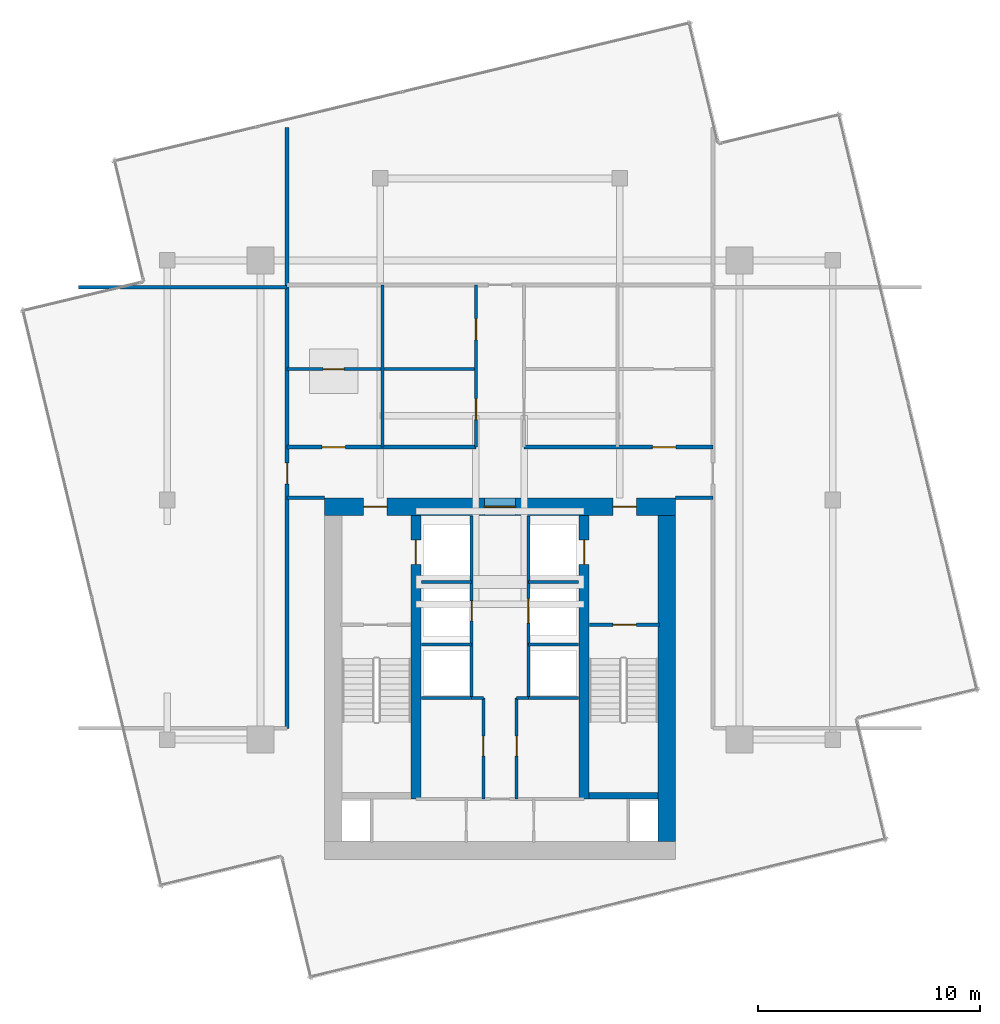
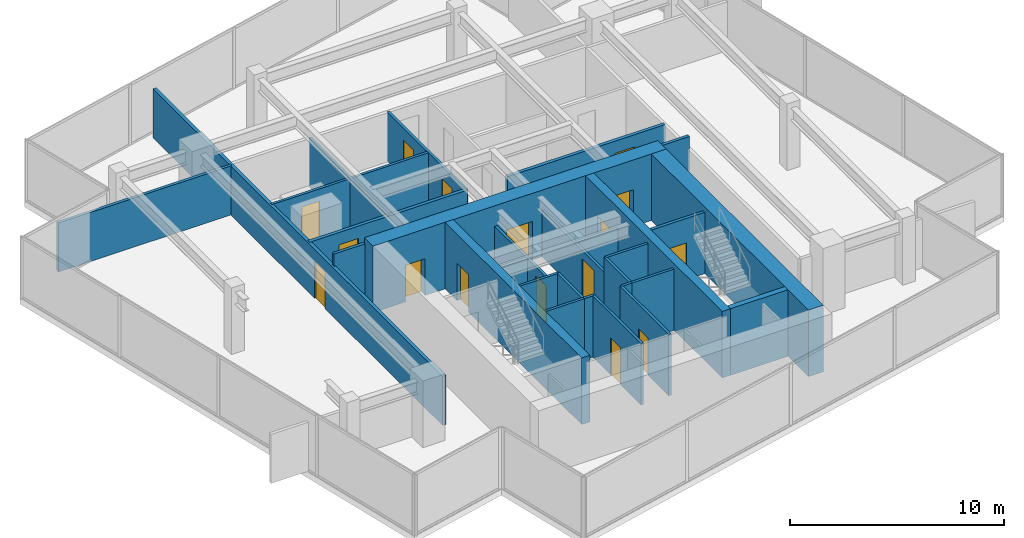
# One storey, part 17 of 19: 29 walls, 16 doors, 16 openings.
"""IFC4 building model written with IfcOpenShell, lengths in metres."""

from ifc_helpers import new_model, si_unit, direction, frame, frame_2d, origin, place, context, subcontext, project, spatial, rectangle, extrude, material, layer, layer_set, type_object, element, fill, save


model = new_model("IFC4")

# Units and contexts
model_context = context("Model", 3, precision=1e-05, world=origin(), true_north=direction((0.0, 1.0)))
body_context = subcontext(model_context, "Body", "Model", "MODEL_VIEW")
ifc_project = project(units=[si_unit("LENGTHUNIT", "METRE"), si_unit("AREAUNIT", "SQUARE_METRE"), si_unit("VOLUMEUNIT", "CUBIC_METRE"), si_unit("PLANEANGLEUNIT", "RADIAN"), si_unit("MASSUNIT", "GRAM", prefix="KILO")], contexts=[model_context])

# Site, building, storey
site_placement = place(None, origin())
site = spatial("IfcSite", under=ifc_project, at=site_placement, CompositionType="ELEMENT")
building_placement = place(site_placement, origin())
building = spatial("IfcBuilding", under=site, at=building_placement, Name="Krantzveldt Concourse Tower", CompositionType="ELEMENT")
storey_placement = place(building_placement, frame((0.0, 0.0, 363.25)))
storey = spatial("IfcBuildingStorey", under=building, at=storey_placement, Name="L89", CompositionType="ELEMENT", Elevation=363.25)

# Wall, opening, door
ifc_material_1 = material(Name="Fire-rated gypsum plasterboard on steel stud", Category="steel")
ifc_layer_1 = layer(ifc_material_1, 0.139892578125, Name="Fire-rated gypsum plasterboard on steel stud", Category="steel")
ifc_layer_set_1 = layer_set([ifc_layer_1], Name="Fire-rated gypsum plasterboard on steel stud (WL-PART-FR140)")
wall_type_1 = type_object("IfcWallType", Name="WL-PART-FR140", PredefinedType="PARTITIONING", material=ifc_layer_set_1)
wall_1_placement = place(storey_placement, frame((34.719970703125, 20.199951171875, 0.0), z_axis=(0.0, 0.0, 1.0), x_axis=(0.0, 1.0, 0.0)))
wall_1 = element("IfcWall", 1, at=wall_1_placement, inside=storey, type_object=wall_type_1, Name="WP-L89-SHNW", PredefinedType="PARTITIONING", context=body_context, shape_type="SweptSolid", body=[
    extrude(rectangle(XDim=5.780029296875, YDim=0.139892578125, at=frame_2d((2.89013671875, 0.0))), origin(), (0.0, 0.0, 1.0), 2.64990234375),
])
opening_1_placement = place(wall_1_placement, frame((1.050048828125, 0.0, 0.0)))
opening_1 = element("IfcOpeningElement", 2, at=opening_1_placement, cuts=wall_1, Name="Opening D-FD090", PredefinedType="OPENING", context=body_context, shape_type="SweptSolid", body=[
    extrude(rectangle(XDim=0.89990234375, YDim=2.10009765625, at=frame_2d((0.449951171875, 1.050048828125))), frame((0.0, 0.080078125, 0.0), z_axis=(0.0, -1.0, 0.0), x_axis=(1.0, 0.0, 0.0)), (0.0, 0.0, 1.0), 0.159912109375),
])
ifc_material_2 = material(Name="Hardwood timber", Category="wood")
door_type_1 = type_object("IfcDoorType", Name="DR-FD60-900", OperationType="SINGLE_SWING_LEFT", PredefinedType="DOOR", material=ifc_material_2)
door_1_placement = place(opening_1_placement, origin())
door_1 = element("IfcDoor", 3, at=door_1_placement, inside=storey, type_object=door_type_1, Name="Electrical Riser Access Door L89", OperationType="SINGLE_SWING_LEFT", OverallHeight=2.10009765625, OverallWidth=0.89990234375, PredefinedType="DOOR", context=body_context, shape_type="SweptSolid", body=[
    extrude(rectangle(XDim=0.89990234375, YDim=2.10009765625, at=frame_2d((0.449951171875, 1.050048828125))), frame((0.0, 0.02490234375, 0.0), z_axis=(0.0, -1.0, 0.0), x_axis=(1.0, 0.0, 0.0)), (0.0, 0.0, 1.0), 0.050048828125),
])
fill(opening_1, door_1)

wall_2_placement = place(storey_placement, frame((37.280029296875, 20.199951171875, 0.0), z_axis=(0.0, 0.0, 1.0), x_axis=(0.0, 1.0, 0.0)))
wall_2 = element("IfcWall", 4, at=wall_2_placement, inside=storey, type_object=wall_type_1, Name="WP-L89-SHNE", PredefinedType="PARTITIONING", context=body_context, shape_type="SweptSolid", body=[
    extrude(rectangle(XDim=5.780029296875, YDim=0.139892578125, at=frame_2d((2.89013671875, 0.0))), origin(), (0.0, 0.0, 1.0), 2.64990234375),
])
opening_2_placement = place(wall_2_placement, frame((0.949951171875, 0.0, 0.0)))
opening_2 = element("IfcOpeningElement", 5, at=opening_2_placement, cuts=wall_2, Name="Opening LD", PredefinedType="OPENING", context=body_context, shape_type="SweptSolid", body=[
    extrude(rectangle(XDim=1.10009765625, YDim=2.14990234375, at=frame_2d((0.550048828125, 1.074951171875))), frame((0.0, 0.080078125, 0.0), z_axis=(0.0, -1.0, 0.0), x_axis=(1.0, 0.0, 0.0)), (0.0, 0.0, 1.0), 0.159912109375),
])
ifc_material_3 = material(Name="Stainless steel 316L", Category="steel")
door_type_2 = type_object("IfcDoorType", Name="DR-SLIDE-LD1100", OperationType="DOUBLE_DOOR_SLIDING", PredefinedType="DOOR", material=ifc_material_3)
door_2_placement = place(opening_2_placement, origin())
door_2 = element("IfcDoor", 6, at=door_2_placement, inside=storey, type_object=door_type_2, Name="LD-L89-GL1", OperationType="DOUBLE_DOOR_SLIDING", OverallHeight=2.14990234375, OverallWidth=1.10009765625, PredefinedType="DOOR", context=body_context, shape_type="SweptSolid", body=[
    extrude(rectangle(XDim=1.10009765625, YDim=2.14990234375, at=frame_2d((0.550048828125, 1.074951171875))), frame((0.0, 0.02490234375, 0.0), z_axis=(0.0, -1.0, 0.0), x_axis=(1.0, 0.0, 0.0)), (0.0, 0.0, 1.0), 0.050048828125),
])
fill(opening_2, door_2)

# Walls
for number, where, z_axis, x_axis, name in (
    (7, (32.449951171875, 23.0, 0.0), (0.0, 0.0, 1.0), (1.0, 0.0, 0.0), "WP-L89-RISH"),
    (8, (37.280029296875, 23.0, 0.0), (0.0, 0.0, 1.0), (1.0, 0.0, 0.0), "WP-L89-GLH"),
):
    element("IfcWall", number, at=place(storey_placement, frame(where, z_axis=z_axis, x_axis=x_axis)), inside=storey, type_object=wall_type_1, Name=name, PredefinedType="PARTITIONING", context=body_context, shape_type="SweptSolid", body=[
        extrude(rectangle(XDim=2.27001953125, YDim=0.139892578125, at=frame_2d((1.135009765625, 0.0))), origin(), (0.0, 0.0, 1.0), 2.64990234375),
    ])
for number, where, z_axis, x_axis, name in (
    (9, (34.719970703125, 17.780029296875, 0.0), (0.0, 0.0, 1.0), (0.0, 1.0, 0.0), "WP-L89-SHNW2"),
    (10, (37.280029296875, 17.780029296875, 0.0), (0.0, 0.0, 1.0), (0.0, 1.0, 0.0), "WP-L89-SHNE2"),
):
    element("IfcWall", number, at=place(storey_placement, frame(where, z_axis=z_axis, x_axis=x_axis)), inside=storey, type_object=wall_type_1, Name=name, PredefinedType="PARTITIONING", context=body_context, shape_type="SweptSolid", body=[
        extrude(rectangle(XDim=2.419921875, YDim=0.139892578125, at=frame_2d((1.2099609375, 0.0))), origin(), (0.0, 0.0, 1.0), 3.5),
    ])
for number, where, z_axis, x_axis, name in (
    (11, (32.449951171875, 17.780029296875, 0.0), (0.0, 0.0, 1.0), (1.0, 0.0, 0.0), "WP-L89-DIVW2"),
    (12, (32.449951171875, 20.179931640625, 0.0), (0.0, 0.0, 1.0), (1.0, 0.0, 0.0), "WP-L89-DIVW3"),
    (13, (37.280029296875, 17.780029296875, 0.0), (0.0, 0.0, 1.0), (1.0, 0.0, 0.0), "WP-L89-DIVE2"),
    (14, (37.280029296875, 20.179931640625, 0.0), (0.0, 0.0, 1.0), (1.0, 0.0, 0.0), "WP-L89-DIVE3"),
):
    element("IfcWall", number, at=place(storey_placement, frame(where, z_axis=z_axis, x_axis=x_axis)), inside=storey, type_object=wall_type_1, Name=name, PredefinedType="PARTITIONING", context=body_context, shape_type="SweptSolid", body=[
        extrude(rectangle(XDim=2.27001953125, YDim=0.139892578125, at=frame_2d((1.135009765625, 0.0))), origin(), (0.0, 0.0, 1.0), 3.5),
    ])

# Wall, opening, door
wall_3_placement = place(storey_placement, frame((35.25, 13.219970703125, 0.0), z_axis=(0.0, 0.0, 1.0), x_axis=(0.0, 1.0, 0.0)))
wall_3 = element("IfcWall", 15, at=wall_3_placement, inside=storey, type_object=wall_type_1, Name="WP-L89-RECW", PredefinedType="PARTITIONING", context=body_context, shape_type="SweptSolid", body=[
    extrude(rectangle(XDim=4.56005859375, YDim=0.139892578125, at=frame_2d((2.280029296875, 0.0))), origin(), (0.0, 0.0, 1.0), 3.5),
])
opening_3_placement = place(wall_3_placement, frame((1.929931640625, 0.0, 0.0)))
opening_3 = element("IfcOpeningElement", 16, at=opening_3_placement, cuts=wall_3, Name="Opening D-FD090", PredefinedType="OPENING", context=body_context, shape_type="SweptSolid", body=[
    extrude(rectangle(XDim=0.89990234375, YDim=2.10009765625, at=frame_2d((0.449951171875, 1.050048828125))), frame((0.0, 0.080078125, 0.0), z_axis=(0.0, -1.0, 0.0), x_axis=(1.0, 0.0, 0.0)), (0.0, 0.0, 1.0), 0.159912109375),
])
door_3_placement = place(opening_3_placement, origin())
door_3 = element("IfcDoor", 17, at=door_3_placement, inside=storey, type_object=door_type_1, Name="DR-L89-RECW", OperationType="SINGLE_SWING_LEFT", OverallHeight=2.10009765625, OverallWidth=0.89990234375, PredefinedType="DOOR", context=body_context, shape_type="SweptSolid", body=[
    extrude(rectangle(XDim=0.89990234375, YDim=2.10009765625, at=frame_2d((0.449951171875, 1.050048828125))), frame((0.0, 0.02490234375, 0.0), z_axis=(0.0, -1.0, 0.0), x_axis=(1.0, 0.0, 0.0)), (0.0, 0.0, 1.0), 0.050048828125),
])
fill(opening_3, door_3)

# Wall
wall_4_placement = place(storey_placement, frame((34.719970703125, 17.780029296875, 0.0), z_axis=(0.0, 0.0, 1.0), x_axis=(1.0, 0.0, 0.0)))
element("IfcWall", 18, at=wall_4_placement, inside=storey, type_object=wall_type_1, Name="WP-L89-RECWN", PredefinedType="PARTITIONING", context=body_context, shape_type="SweptSolid", body=[
    extrude(rectangle(XDim=0.530029296875, YDim=0.139892578125, at=frame_2d((0.26513671875, 0.0))), origin(), (0.0, 0.0, 1.0), 3.5),
])

# Wall, opening, door
wall_5_placement = place(storey_placement, frame((36.75, 13.219970703125, 0.0), z_axis=(0.0, 0.0, 1.0), x_axis=(0.0, 1.0, 0.0)))
wall_5 = element("IfcWall", 19, at=wall_5_placement, inside=storey, type_object=wall_type_1, Name="WP-L89-RECE", PredefinedType="PARTITIONING", context=body_context, shape_type="SweptSolid", body=[
    extrude(rectangle(XDim=4.56005859375, YDim=0.139892578125, at=frame_2d((2.280029296875, 0.0))), origin(), (0.0, 0.0, 1.0), 3.5),
])
opening_4_placement = place(wall_5_placement, frame((1.929931640625, 0.0, 0.0)))
opening_4 = element("IfcOpeningElement", 20, at=opening_4_placement, cuts=wall_5, Name="Opening D-FD090", PredefinedType="OPENING", context=body_context, shape_type="SweptSolid", body=[
    extrude(rectangle(XDim=0.89990234375, YDim=2.10009765625, at=frame_2d((0.449951171875, 1.050048828125))), frame((0.0, 0.080078125, 0.0), z_axis=(0.0, -1.0, 0.0), x_axis=(1.0, 0.0, 0.0)), (0.0, 0.0, 1.0), 0.159912109375),
])
door_4_placement = place(opening_4_placement, origin())
door_4 = element("IfcDoor", 21, at=door_4_placement, inside=storey, type_object=door_type_1, Name="DR-L89-RECE", OperationType="SINGLE_SWING_RIGHT", OverallHeight=2.10009765625, OverallWidth=0.89990234375, PredefinedType="DOOR", context=body_context, shape_type="SweptSolid", body=[
    extrude(rectangle(XDim=0.89990234375, YDim=2.10009765625, at=frame_2d((0.449951171875, 1.050048828125))), frame((0.0, 0.02490234375, 0.0), z_axis=(0.0, -1.0, 0.0), x_axis=(1.0, 0.0, 0.0)), (0.0, 0.0, 1.0), 0.050048828125),
])
fill(opening_4, door_4)

# Wall
wall_6_placement = place(storey_placement, frame((36.75, 17.780029296875, 0.0), z_axis=(0.0, 0.0, 1.0), x_axis=(1.0, 0.0, 0.0)))
element("IfcWall", 22, at=wall_6_placement, inside=storey, type_object=wall_type_1, Name="WP-L89-RECEN", PredefinedType="PARTITIONING", context=body_context, shape_type="SweptSolid", body=[
    extrude(rectangle(XDim=0.530029296875, YDim=0.139892578125, at=frame_2d((0.26513671875, 0.0))), origin(), (0.0, 0.0, 1.0), 3.5),
])

# Wall, openings, doors
wall_7_placement = place(storey_placement, frame((34.919921875, 29.080078125, 0.0), z_axis=(0.0, 0.0, 1.0), x_axis=(0.0, 1.0, 0.0)))
wall_7 = element("IfcWall", 23, at=wall_7_placement, inside=storey, type_object=wall_type_1, Name="WP-L89-SPL", PredefinedType="PARTITIONING", context=body_context, shape_type="SweptSolid", body=[
    extrude(rectangle(XDim=7.31982421875, YDim=0.139892578125, at=frame_2d((3.659912109375, 0.0))), origin(), (0.0, 0.0, 1.0), 2.800048828125),
])
opening_5_placement = place(wall_7_placement, frame((1.2451171875, 0.0, 0.0)))
opening_5 = element("IfcOpeningElement", 24, at=opening_5_placement, cuts=wall_7, Name="Opening D-FD695", PredefinedType="OPENING", context=body_context, shape_type="SweptSolid", body=[
    extrude(rectangle(XDim=0.949951171875, YDim=2.10009765625, at=frame_2d((0.47509765625, 1.050048828125))), frame((0.0, 0.080078125, 0.0), z_axis=(0.0, -1.0, 0.0), x_axis=(1.0, 0.0, 0.0)), (0.0, 0.0, 1.0), 0.159912109375),
])
opening_6_placement = place(wall_7_placement, frame((4.844970703125, 0.0, 0.0)))
opening_6 = element("IfcOpeningElement", 25, at=opening_6_placement, cuts=wall_7, Name="Opening D-FD695", PredefinedType="OPENING", context=body_context, shape_type="SweptSolid", body=[
    extrude(rectangle(XDim=0.949951171875, YDim=2.10009765625, at=frame_2d((0.47509765625, 1.050048828125))), frame((0.0, 0.080078125, 0.0), z_axis=(0.0, -1.0, 0.0), x_axis=(1.0, 0.0, 0.0)), (0.0, 0.0, 1.0), 0.159912109375),
])
door_type_3 = type_object("IfcDoorType", Name="DR-FD60-950", OperationType="SINGLE_SWING_LEFT", PredefinedType="DOOR", material=ifc_material_2)
door_5_placement = place(opening_5_placement, origin())
door_5 = element("IfcDoor", 26, at=door_5_placement, inside=storey, type_object=door_type_3, Name="DR-L89-CTWR1", OperationType="SINGLE_SWING_LEFT", OverallHeight=2.10009765625, OverallWidth=0.949951171875, PredefinedType="DOOR", context=body_context, shape_type="SweptSolid", body=[
    extrude(rectangle(XDim=0.949951171875, YDim=2.10009765625, at=frame_2d((0.47509765625, 1.050048828125))), frame((0.0, 0.02490234375, 0.0), z_axis=(0.0, -1.0, 0.0), x_axis=(1.0, 0.0, 0.0)), (0.0, 0.0, 1.0), 0.050048828125),
])
fill(opening_5, door_5)
door_6_placement = place(opening_6_placement, origin())
door_6 = element("IfcDoor", 27, at=door_6_placement, inside=storey, type_object=door_type_3, Name="DR-L89-CTWR2", OperationType="SINGLE_SWING_RIGHT", OverallHeight=2.10009765625, OverallWidth=0.949951171875, PredefinedType="DOOR", context=body_context, shape_type="SweptSolid", body=[
    extrude(rectangle(XDim=0.949951171875, YDim=2.10009765625, at=frame_2d((0.47509765625, 1.050048828125))), frame((0.0, 0.02490234375, 0.0), z_axis=(0.0, -1.0, 0.0), x_axis=(1.0, 0.0, 0.0)), (0.0, 0.0, 1.0), 0.050048828125),
])
fill(opening_6, door_6)

# Wall
wall_8_placement = place(storey_placement, frame((30.699951171875, 29.080078125, 0.0), z_axis=(0.0, 0.0, 1.0), x_axis=(0.0, 1.0, 0.0)))
element("IfcWall", 28, at=wall_8_placement, inside=storey, type_object=wall_type_1, Name="WP-L89-D1", PredefinedType="PARTITIONING", context=body_context, shape_type="SweptSolid", body=[
    extrude(rectangle(XDim=7.31982421875, YDim=0.139892578125, at=frame_2d((3.659912109375, 0.0))), origin(), (0.0, 0.0, 1.0), 2.800048828125),
])

# Wall, opening, door
wall_9_placement = place(storey_placement, frame((26.39990234375, 32.60009765625, 0.0), z_axis=(0.0, 0.0, 1.0), x_axis=(1.0, 0.0, 0.0)))
wall_9 = element("IfcWall", 29, at=wall_9_placement, inside=storey, type_object=wall_type_1, Name="WP-L89-HZL", PredefinedType="PARTITIONING", context=body_context, shape_type="SweptSolid", body=[
    extrude(rectangle(XDim=8.52001953125, YDim=0.139892578125, at=frame_2d((4.260009765625, 0.0))), origin(), (0.0, 0.0, 1.0), 2.800048828125),
])
opening_7_placement = place(wall_9_placement, frame((1.625, 0.0, 0.0)))
opening_7 = element("IfcOpeningElement", 30, at=opening_7_placement, cuts=wall_9, Name="Opening D-FD695", PredefinedType="OPENING", context=body_context, shape_type="SweptSolid", body=[
    extrude(rectangle(XDim=0.949951171875, YDim=2.10009765625, at=frame_2d((0.47509765625, 1.050048828125))), frame((0.0, 0.080078125, 0.0), z_axis=(0.0, -1.0, 0.0), x_axis=(1.0, 0.0, 0.0)), (0.0, 0.0, 1.0), 0.159912109375),
])
door_7_placement = place(opening_7_placement, origin())
door_7 = element("IfcDoor", 31, at=door_7_placement, inside=storey, type_object=door_type_3, Name="DR-L89-CHIL2", OperationType="SINGLE_SWING_LEFT", OverallHeight=2.10009765625, OverallWidth=0.949951171875, PredefinedType="DOOR", context=body_context, shape_type="SweptSolid", body=[
    extrude(rectangle(XDim=0.949951171875, YDim=2.10009765625, at=frame_2d((0.47509765625, 1.050048828125))), frame((0.0, 0.02490234375, 0.0), z_axis=(0.0, -1.0, 0.0), x_axis=(1.0, 0.0, 0.0)), (0.0, 0.0, 1.0), 0.050048828125),
])
fill(opening_7, door_7)

ifc_layer_2 = layer(ifc_material_1, 0.159912109375, Name="Fire-rated gypsum plasterboard on steel stud", Category="steel")
ifc_layer_set_2 = layer_set([ifc_layer_2], Name="Fire-rated gypsum plasterboard on steel stud (WL-PART-FR160)")
wall_type_2 = type_object("IfcWallType", Name="WL-PART-FR160", PredefinedType="PARTITIONING", material=ifc_layer_set_2)
wall_10_placement = place(storey_placement, frame((40.0400390625, 21.080078125, 0.0), z_axis=(0.0, 0.0, 1.0), x_axis=(1.0, 0.0, 0.0)))
wall_10 = element("IfcWall", 32, at=wall_10_placement, inside=storey, type_object=wall_type_2, Name="WP-L89-ST2", PredefinedType="PARTITIONING", context=body_context, shape_type="SweptSolid", body=[
    extrude(rectangle(XDim=3.159912109375, YDim=0.159912109375, at=frame_2d((1.580078125, 0.0))), origin(), (0.0, 0.0, 1.0), 3.5),
])
opening_8_placement = place(wall_10_placement, frame((1.054931640625, 0.0, 0.0)))
opening_8 = element("IfcOpeningElement", 33, at=opening_8_placement, cuts=wall_10, Name="Opening D-FD105", PredefinedType="OPENING", context=body_context, shape_type="SweptSolid", body=[
    extrude(rectangle(XDim=1.050048828125, YDim=2.10009765625, at=frame_2d((0.52490234375, 1.050048828125))), frame((0.0, 0.08984375, 0.0), z_axis=(0.0, -1.0, 0.0), x_axis=(1.0, 0.0, 0.0)), (0.0, 0.0, 1.0), 0.179931640625),
])
ifc_material_4 = material(Name="Galvanised steel", Category="steel")
door_type_4 = type_object("IfcDoorType", Name="DR-FD120-1050", OperationType="SINGLE_SWING_LEFT", PredefinedType="DOOR", material=ifc_material_4)
door_8_placement = place(opening_8_placement, origin())
door_8 = element("IfcDoor", 34, at=door_8_placement, inside=storey, type_object=door_type_4, Name="DR-L89-ST2", OperationType="SINGLE_SWING_LEFT", OverallHeight=2.10009765625, OverallWidth=1.050048828125, PredefinedType="DOOR", context=body_context, shape_type="SweptSolid", body=[
    extrude(rectangle(XDim=1.050048828125, YDim=2.10009765625, at=frame_2d((0.52490234375, 1.050048828125))), frame((0.0, 0.02490234375, 0.0), z_axis=(0.0, -1.0, 0.0), x_axis=(1.0, 0.0, 0.0)), (0.0, 0.0, 1.0), 0.050048828125),
])
fill(opening_8, door_8)

# Walls
for number, where, z_axis, x_axis, name in (
    (35, (26.39990234375, 26.800048828125, 0.0), (0.0, 0.0, 1.0), (1.0, 0.0, 0.0), "WP-L89-S1"),
    (36, (43.919921875, 26.800048828125, 0.0), (0.0, 0.0, 1.0), (1.0, 0.0, 0.0), "WP-L89-S2"),
):
    element("IfcWall", number, at=place(storey_placement, frame(where, z_axis=z_axis, x_axis=x_axis)), inside=storey, type_object=wall_type_2, Name=name, PredefinedType="PARTITIONING", context=body_context, shape_type="SweptSolid", body=[
        extrude(rectangle(XDim=1.68017578125, YDim=0.159912109375, at=frame_2d((0.840087890625, 0.0))), origin(), (0.0, 0.0, 1.0), 3.5),
    ])
wall_11_placement = place(storey_placement, frame((17.0, 36.300048828125, 0.0), z_axis=(0.0, 0.0, 1.0), x_axis=(1.0, 0.0, 0.0)))
element("IfcWall", 37, at=wall_11_placement, inside=storey, type_object=wall_type_2, Name="WP-L89-RWN", PredefinedType="PARTITIONING", context=body_context, shape_type="SweptSolid", body=[
    extrude(rectangle(XDim=9.39990234375, YDim=0.159912109375, at=frame_2d((4.699951171875, 0.0))), origin(), (0.0, 0.0, 1.0), 2.800048828125),
])

# Wall, opening, door
ifc_layer_3 = layer(ifc_material_1, 0.179931640625, Name="Fire-rated gypsum plasterboard on steel stud", Category="steel")
ifc_layer_set_3 = layer_set([ifc_layer_3], Name="Fire-rated gypsum plasterboard on steel stud (WL-PART-FR180)")
wall_type_3 = type_object("IfcWallType", Name="WL-PART-FR180", PredefinedType="PARTITIONING", material=ifc_layer_set_3)
wall_12_placement = place(storey_placement, frame((26.39990234375, 29.080078125, 0.0), z_axis=(0.0, 0.0, 1.0), x_axis=(1.0, 0.0, 0.0)))
wall_12 = element("IfcWall", 38, at=wall_12_placement, inside=storey, type_object=wall_type_3, Name="WP-L89-N1L", PredefinedType="PARTITIONING", context=body_context, shape_type="SweptSolid", body=[
    extrude(rectangle(XDim=8.52001953125, YDim=0.179931640625, at=frame_2d((4.260009765625, 0.0))), origin(), (0.0, 0.0, 1.0), 2.800048828125),
])
opening_9_placement = place(wall_12_placement, frame((1.574951171875, 0.0, 0.0)))
opening_9 = element("IfcOpeningElement", 39, at=opening_9_placement, cuts=wall_12, Name="Opening D-FD105", PredefinedType="OPENING", context=body_context, shape_type="SweptSolid", body=[
    extrude(rectangle(XDim=1.050048828125, YDim=2.10009765625, at=frame_2d((0.52490234375, 1.050048828125))), frame((0.0, 0.10009765625, 0.0), z_axis=(0.0, -1.0, 0.0), x_axis=(1.0, 0.0, 0.0)), (0.0, 0.0, 1.0), 0.199951171875),
])
door_9_placement = place(opening_9_placement, origin())
door_9 = element("IfcDoor", 40, at=door_9_placement, inside=storey, type_object=door_type_4, Name="DR-L89-CHIL1", OperationType="SINGLE_SWING_LEFT", OverallHeight=2.10009765625, OverallWidth=1.050048828125, PredefinedType="DOOR", context=body_context, shape_type="SweptSolid", body=[
    extrude(rectangle(XDim=1.050048828125, YDim=2.10009765625, at=frame_2d((0.52490234375, 1.050048828125))), frame((0.0, 0.02490234375, 0.0), z_axis=(0.0, -1.0, 0.0), x_axis=(1.0, 0.0, 0.0)), (0.0, 0.0, 1.0), 0.050048828125),
])
fill(opening_9, door_9)

wall_13_placement = place(storey_placement, frame((37.080078125, 29.080078125, 0.0), z_axis=(0.0, 0.0, 1.0), x_axis=(1.0, 0.0, 0.0)))
wall_13 = element("IfcWall", 41, at=wall_13_placement, inside=storey, type_object=wall_type_3, Name="WP-L89-N1R", PredefinedType="PARTITIONING", context=body_context, shape_type="SweptSolid", body=[
    extrude(rectangle(XDim=8.52001953125, YDim=0.179931640625, at=frame_2d((4.260009765625, 0.0))), origin(), (0.0, 0.0, 1.0), 2.800048828125),
])
opening_10_placement = place(wall_13_placement, frame((5.794921875, 0.0, 0.0)))
opening_10 = element("IfcOpeningElement", 42, at=opening_10_placement, cuts=wall_13, Name="Opening D-FD105", PredefinedType="OPENING", context=body_context, shape_type="SweptSolid", body=[
    extrude(rectangle(XDim=1.050048828125, YDim=2.10009765625, at=frame_2d((0.52490234375, 1.050048828125))), frame((0.0, 0.10009765625, 0.0), z_axis=(0.0, -1.0, 0.0), x_axis=(1.0, 0.0, 0.0)), (0.0, 0.0, 1.0), 0.199951171875),
])
door_10_placement = place(opening_10_placement, origin())
door_10 = element("IfcDoor", 43, at=door_10_placement, inside=storey, type_object=door_type_4, Name="DR-L89-PMP89", OperationType="SINGLE_SWING_RIGHT", OverallHeight=2.10009765625, OverallWidth=1.050048828125, PredefinedType="DOOR", context=body_context, shape_type="SweptSolid", body=[
    extrude(rectangle(XDim=1.050048828125, YDim=2.10009765625, at=frame_2d((0.52490234375, 1.050048828125))), frame((0.0, 0.02490234375, 0.0), z_axis=(0.0, -1.0, 0.0), x_axis=(1.0, 0.0, 0.0)), (0.0, 0.0, 1.0), 0.050048828125),
])
fill(opening_10, door_10)

wall_14_placement = place(storey_placement, frame((26.39990234375, 16.39990234375, 0.0), z_axis=(0.0, 0.0, 1.0), x_axis=(0.0, 1.0, 0.0)))
wall_14 = element("IfcWall", 44, at=wall_14_placement, inside=storey, type_object=wall_type_3, Name="WP-L89-WL", PredefinedType="PARTITIONING", context=body_context, shape_type="SweptSolid", body=[
    extrude(rectangle(XDim=27.10009765625, YDim=0.179931640625, at=frame_2d((13.550048828125, 0.0))), origin(), (0.0, 0.0, 1.0), 2.800048828125),
])
opening_11_placement = place(wall_14_placement, frame((11.02490234375, 0.0, 0.0)))
opening_11 = element("IfcOpeningElement", 45, at=opening_11_placement, cuts=wall_14, Name="Opening D-FD095", PredefinedType="OPENING", context=body_context, shape_type="SweptSolid", body=[
    extrude(rectangle(XDim=0.949951171875, YDim=2.10009765625, at=frame_2d((0.47509765625, 1.050048828125))), frame((0.0, 0.10009765625, 0.0), z_axis=(0.0, -1.0, 0.0), x_axis=(1.0, 0.0, 0.0)), (0.0, 0.0, 1.0), 0.199951171875),
])
door_type_5 = type_object("IfcDoorType", Name="DR-FD120-950", OperationType="SINGLE_SWING_LEFT", PredefinedType="DOOR", material=ifc_material_4)
door_11_placement = place(opening_11_placement, origin())
door_11 = element("IfcDoor", 46, at=door_11_placement, inside=storey, type_object=door_type_5, Name="DR-L89-RF89W", OperationType="SINGLE_SWING_LEFT", OverallHeight=2.10009765625, OverallWidth=0.949951171875, PredefinedType="DOOR", context=body_context, shape_type="SweptSolid", body=[
    extrude(rectangle(XDim=0.949951171875, YDim=2.10009765625, at=frame_2d((0.47509765625, 1.050048828125))), frame((0.0, 0.02490234375, 0.0), z_axis=(0.0, -1.0, 0.0), x_axis=(1.0, 0.0, 0.0)), (0.0, 0.0, 1.0), 0.050048828125),
])
fill(opening_11, door_11)

# Wall
ifc_material_5 = material(Name="Concrete C50/60", Category="concrete")
ifc_layer_4 = layer(ifc_material_5, 0.300048828125, Name="Concrete C50/60", Category="concrete")
ifc_layer_set_4 = layer_set([ifc_layer_4], Name="Concrete C50/60 (WL-SHEAR-300)")
wall_type_4 = type_object("IfcWallType", Name="WL-SHEAR-300", PredefinedType="SHEAR", material=ifc_layer_set_4)
wall_15_placement = place(storey_placement, frame((40.02001953125, 13.3701171875, 0.0), z_axis=(0.0, 0.0, 1.0), x_axis=(1.0, 0.0, 0.0)))
element("IfcWall", 47, at=wall_15_placement, inside=storey, type_object=wall_type_4, Name="CW-L89-ST2S", PredefinedType="SHEAR", context=body_context, shape_type="SweptSolid", body=[
    extrude(rectangle(XDim=3.10009765625, YDim=0.300048828125, at=frame_2d((1.550048828125, 0.0))), origin(), (0.0, 0.0, 1.0), 3.800048828125),
])

# Wall, opening, door
ifc_layer_5 = layer(ifc_material_5, 0.449951171875, Name="Concrete C50/60", Category="concrete")
ifc_layer_set_5 = layer_set([ifc_layer_5], Name="Concrete C50/60 (WL-SHEAR-450)")
wall_type_5 = type_object("IfcWallType", Name="WL-SHEAR-450", PredefinedType="SHEAR", material=ifc_layer_set_5)
wall_16_placement = place(storey_placement, frame((32.205078125, 13.219970703125, 0.0), z_axis=(0.0, 0.0, 1.0), x_axis=(0.0, 1.0, 0.0)))
wall_16 = element("IfcWall", 48, at=wall_16_placement, inside=storey, type_object=wall_type_5, Name="CW-L89-IW", PredefinedType="SHEAR", context=body_context, shape_type="SweptSolid", body=[
    extrude(rectangle(XDim=12.780029296875, YDim=0.449951171875, at=frame_2d((6.39013671875, 0.0))), origin(), (0.0, 0.0, 1.0), 3.800048828125),
])
opening_12_placement = place(wall_16_placement, frame((10.580078125, 0.0, 0.0)))
opening_12 = element("IfcOpeningElement", 49, at=opening_12_placement, cuts=wall_16, Name="Opening LD", PredefinedType="OPENING", context=body_context, shape_type="SweptSolid", body=[
    extrude(rectangle(XDim=1.10009765625, YDim=2.14990234375, at=frame_2d((0.550048828125, 1.074951171875))), frame((0.0, 0.23486328125, 0.0), z_axis=(0.0, -1.0, 0.0), x_axis=(1.0, 0.0, 0.0)), (0.0, 0.0, 1.0), 0.469970703125),
])
door_12_placement = place(opening_12_placement, origin())
door_12 = element("IfcDoor", 50, at=door_12_placement, inside=storey, type_object=door_type_2, Name="LD-L89-FL1", OperationType="DOUBLE_DOOR_SLIDING", OverallHeight=2.14990234375, OverallWidth=1.10009765625, PredefinedType="DOOR", context=body_context, shape_type="SweptSolid", body=[
    extrude(rectangle(XDim=1.10009765625, YDim=2.14990234375, at=frame_2d((0.550048828125, 1.074951171875))), frame((0.0, 0.02490234375, 0.0), z_axis=(0.0, -1.0, 0.0), x_axis=(1.0, 0.0, 0.0)), (0.0, 0.0, 1.0), 0.050048828125),
])
fill(opening_12, door_12)

wall_17_placement = place(storey_placement, frame((39.794921875, 13.219970703125, 0.0), z_axis=(0.0, 0.0, 1.0), x_axis=(0.0, 1.0, 0.0)))
wall_17 = element("IfcWall", 51, at=wall_17_placement, inside=storey, type_object=wall_type_5, Name="CW-L89-IE", PredefinedType="SHEAR", context=body_context, shape_type="SweptSolid", body=[
    extrude(rectangle(XDim=12.780029296875, YDim=0.449951171875, at=frame_2d((6.39013671875, 0.0))), origin(), (0.0, 0.0, 1.0), 3.800048828125),
])
opening_13_placement = place(wall_17_placement, frame((10.580078125, 0.0, 0.0)))
opening_13 = element("IfcOpeningElement", 52, at=opening_13_placement, cuts=wall_17, Name="Opening LD", PredefinedType="OPENING", context=body_context, shape_type="SweptSolid", body=[
    extrude(rectangle(XDim=1.10009765625, YDim=2.14990234375, at=frame_2d((0.550048828125, 1.074951171875))), frame((0.0, 0.23486328125, 0.0), z_axis=(0.0, -1.0, 0.0), x_axis=(1.0, 0.0, 0.0)), (0.0, 0.0, 1.0), 0.469970703125),
])
door_13_placement = place(opening_13_placement, origin())
door_13 = element("IfcDoor", 53, at=door_13_placement, inside=storey, type_object=door_type_2, Name="LD-L89-FL2", OperationType="DOUBLE_DOOR_SLIDING", OverallHeight=2.14990234375, OverallWidth=1.10009765625, PredefinedType="DOOR", context=body_context, shape_type="SweptSolid", body=[
    extrude(rectangle(XDim=1.10009765625, YDim=2.14990234375, at=frame_2d((0.550048828125, 1.074951171875))), frame((0.0, 0.02490234375, 0.0), z_axis=(0.0, -1.0, 0.0), x_axis=(1.0, 0.0, 0.0)), (0.0, 0.0, 1.0), 0.050048828125),
])
fill(opening_13, door_13)

# Wall, openings, doors
ifc_material_6 = material(Name="Concrete C60/75", Category="concrete")
ifc_layer_6 = layer(ifc_material_6, 0.800048828125, Name="Concrete C60/75", Category="concrete")
ifc_layer_set_6 = layer_set([ifc_layer_6], Name="Concrete C60/75 (WL-SHEAR-800)")
wall_type_6 = type_object("IfcWallType", Name="WL-SHEAR-800", PredefinedType="SHEAR", material=ifc_layer_set_6)
wall_18_placement = place(storey_placement, frame((28.080078125, 26.39990234375, 0.0), z_axis=(0.0, 0.0, 1.0), x_axis=(1.0, 0.0, 0.0)))
wall_18 = element("IfcWall", 54, at=wall_18_placement, inside=storey, type_object=wall_type_6, Name="CW-L89-N", PredefinedType="SHEAR", context=body_context, shape_type="SweptSolid", body=[
    extrude(rectangle(XDim=15.83984375, YDim=0.800048828125, at=frame_2d((7.919921875, 0.0))), origin(), (0.0, 0.0, 1.0), 3.800048828125),
])
opening_14_placement = place(wall_18_placement, frame((7.219970703125, 0.0, 0.0)))
opening_14 = element("IfcOpeningElement", 55, at=opening_14_placement, cuts=wall_18, Name="Opening D-DB140", PredefinedType="OPENING", context=body_context, shape_type="SweptSolid", body=[
    extrude(rectangle(XDim=1.39990234375, YDim=2.199951171875, at=frame_2d((0.699951171875, 1.10009765625))), frame((0.0, 0.41015625, 0.0), z_axis=(0.0, -1.0, 0.0), x_axis=(1.0, 0.0, 0.0)), (0.0, 0.0, 1.0), 0.820068359375),
])
opening_15_placement = place(wall_18_placement, frame((1.77490234375, 0.0, 0.0)))
opening_15 = element("IfcOpeningElement", 56, at=opening_15_placement, cuts=wall_18, Name="Opening D-FD105", PredefinedType="OPENING", context=body_context, shape_type="SweptSolid", body=[
    extrude(rectangle(XDim=1.050048828125, YDim=2.10009765625, at=frame_2d((0.52490234375, 1.050048828125))), frame((0.0, 0.41015625, 0.0), z_axis=(0.0, -1.0, 0.0), x_axis=(1.0, 0.0, 0.0)), (0.0, 0.0, 1.0), 0.820068359375),
])
opening_16_placement = place(wall_18_placement, frame((13.014892578125, 0.0, 0.0)))
opening_16 = element("IfcOpeningElement", 57, at=opening_16_placement, cuts=wall_18, Name="Opening D-FD105", PredefinedType="OPENING", context=body_context, shape_type="SweptSolid", body=[
    extrude(rectangle(XDim=1.050048828125, YDim=2.10009765625, at=frame_2d((0.52490234375, 1.050048828125))), frame((0.0, 0.41015625, 0.0), z_axis=(0.0, -1.0, 0.0), x_axis=(1.0, 0.0, 0.0)), (0.0, 0.0, 1.0), 0.820068359375),
])
ifc_material_7 = material(Name="Anodised aluminium 6063-T6", Category="aluminium")
door_type_6 = type_object("IfcDoorType", Name="DR-DBL-1400", OperationType="DOUBLE_DOOR_SINGLE_SWING", PredefinedType="DOOR", material=ifc_material_7)
door_14_placement = place(opening_14_placement, origin())
door_14 = element("IfcDoor", 58, at=door_14_placement, inside=storey, type_object=door_type_6, Name="DR-L89-LLB", OperationType="DOUBLE_DOOR_SINGLE_SWING", OverallHeight=2.199951171875, OverallWidth=1.39990234375, PredefinedType="DOOR", context=body_context, shape_type="SweptSolid", body=[
    extrude(rectangle(XDim=1.39990234375, YDim=2.199951171875, at=frame_2d((0.699951171875, 1.10009765625))), frame((0.0, 0.02490234375, 0.0), z_axis=(0.0, -1.0, 0.0), x_axis=(1.0, 0.0, 0.0)), (0.0, 0.0, 1.0), 0.050048828125),
])
fill(opening_14, door_14)
door_15_placement = place(opening_15_placement, origin())
door_15 = element("IfcDoor", 59, at=door_15_placement, inside=storey, type_object=door_type_4, Name="DR-L89-FFL1", OperationType="SINGLE_SWING_LEFT", OverallHeight=2.10009765625, OverallWidth=1.050048828125, PredefinedType="DOOR", context=body_context, shape_type="SweptSolid", body=[
    extrude(rectangle(XDim=1.050048828125, YDim=2.10009765625, at=frame_2d((0.52490234375, 1.050048828125))), frame((0.0, 0.02490234375, 0.0), z_axis=(0.0, -1.0, 0.0), x_axis=(1.0, 0.0, 0.0)), (0.0, 0.0, 1.0), 0.050048828125),
])
fill(opening_15, door_15)
door_16_placement = place(opening_16_placement, origin())
door_16 = element("IfcDoor", 60, at=door_16_placement, inside=storey, type_object=door_type_4, Name="DR-L89-FFL2", OperationType="SINGLE_SWING_RIGHT", OverallHeight=2.10009765625, OverallWidth=1.050048828125, PredefinedType="DOOR", context=body_context, shape_type="SweptSolid", body=[
    extrude(rectangle(XDim=1.050048828125, YDim=2.10009765625, at=frame_2d((0.52490234375, 1.050048828125))), frame((0.0, 0.02490234375, 0.0), z_axis=(0.0, -1.0, 0.0), x_axis=(1.0, 0.0, 0.0)), (0.0, 0.0, 1.0), 0.050048828125),
])
fill(opening_16, door_16)

# Wall
wall_19_placement = place(storey_placement, frame((43.52001953125, 11.300048828125, 0.0), z_axis=(0.0, 0.0, 1.0), x_axis=(0.0, 1.0, 0.0)))
element("IfcWall", 61, at=wall_19_placement, inside=storey, type_object=wall_type_6, Name="CW-L89-E", PredefinedType="SHEAR", context=body_context, shape_type="SweptSolid", body=[
    extrude(rectangle(XDim=14.699951171875, YDim=0.800048828125, at=frame_2d((7.35009765625, 0.0))), origin(), (0.0, 0.0, 1.0), 3.800048828125),
])

save(model, "model.ifc")
